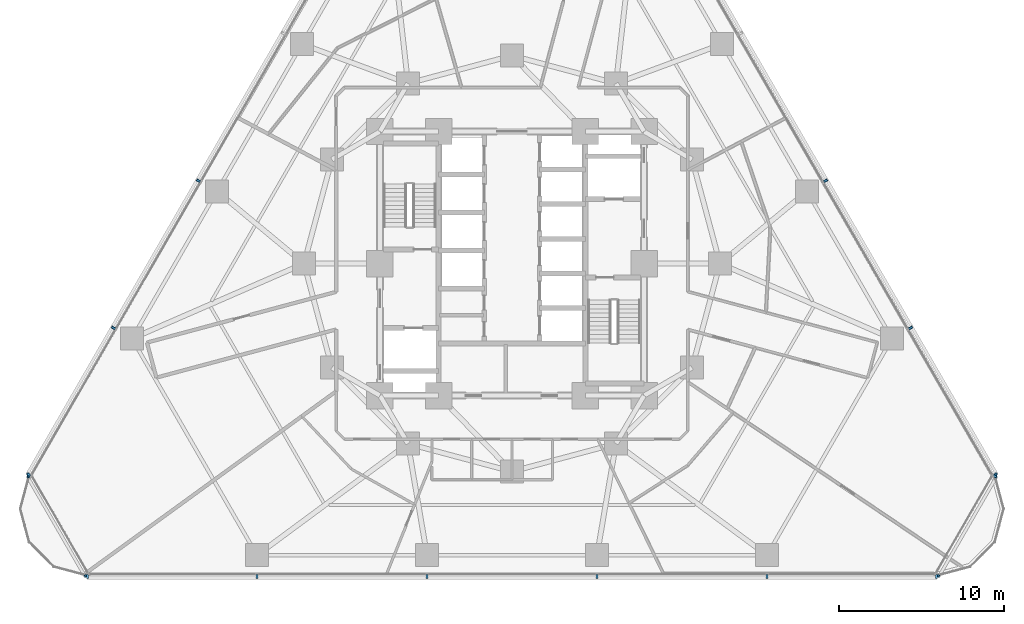
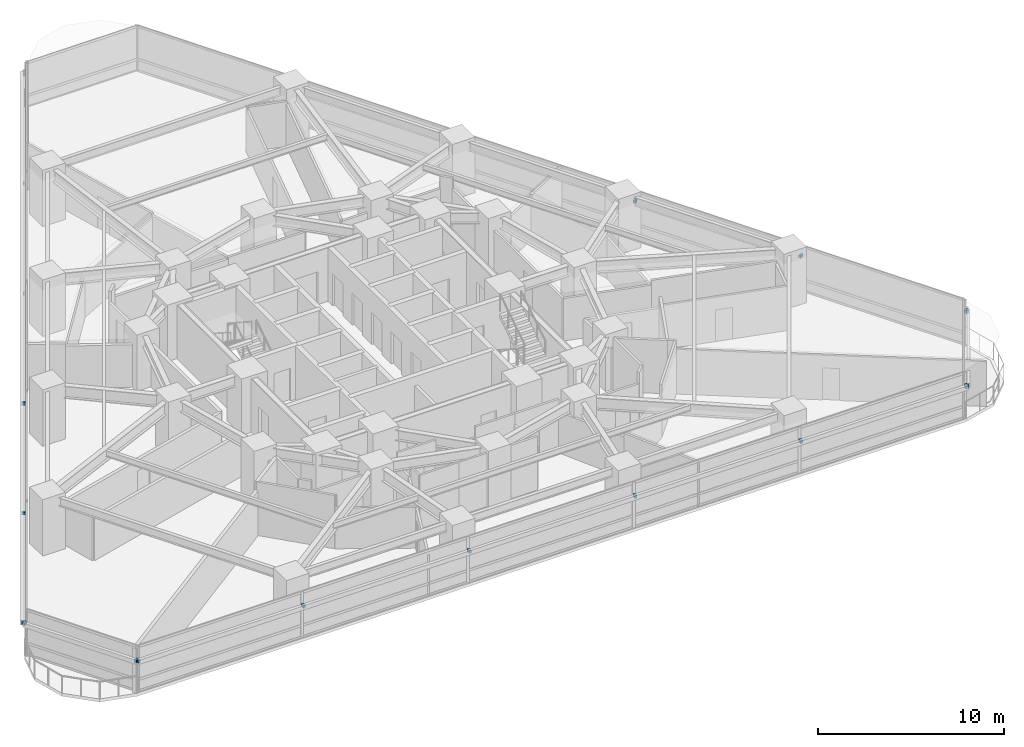
# One storey, part 11 of 16: 16 discrete accessories.
"""IFC4 building model written with IfcOpenShell, lengths in metres."""

from ifc_helpers import new_model, si_unit, direction, frame, origin, origin_2d, place, context, subcontext, project, spatial, rectangle, extrude, material, type_object, element, save


model = new_model("IFC4")

# Units and contexts
model_context = context("Model", 3, precision=1e-05, world=origin(), true_north=direction((0.0, 1.0)))
body_context = subcontext(model_context, "Body", "Model", "MODEL_VIEW")
ifc_project = project(units=[si_unit("LENGTHUNIT", "METRE"), si_unit("AREAUNIT", "SQUARE_METRE"), si_unit("VOLUMEUNIT", "CUBIC_METRE"), si_unit("PLANEANGLEUNIT", "RADIAN"), si_unit("MASSUNIT", "GRAM", prefix="KILO")], contexts=[model_context])

# Site, building, storey
site_placement = place(None, origin())
site = spatial("IfcSite", under=ifc_project, at=site_placement, CompositionType="ELEMENT")
building_placement = place(site_placement, origin())
building = spatial("IfcBuilding", under=site, at=building_placement, Name="Terralouvre Media Tower", CompositionType="ELEMENT")
storey_placement = place(building_placement, frame((0.0, 0.0, 37.10009765625)))
storey = spatial("IfcBuildingStorey", under=building, at=storey_placement, Name="L08", CompositionType="ELEMENT", Elevation=37.10009765625)

# Discrete accessories
ifc_material = material(Name="Anodised extruded aluminium 6063-T6", Category="aluminium")
discrete_accessory_type = type_object("IfcDiscreteAccessoryType", Name="Mullion Stand-Off Baguette Fixing Bracket BK-01", PredefinedType="BRACKET", material=ifc_material)
for number, where, z_axis, x_axis, name in (
    (1, (-25.71240234375, -18.956787109375, 2.07373046875), (0.0, 0.0, 1.0), (1.0, 0.0, 0.0), "CW-L08-F0 Baguette Outrigger Bracket 1.01"),
    (2, (-15.449951171875, -18.956787109375, 2.07373046875), (0.0, 0.0, 1.0), (1.0, 0.0, 0.0), "CW-L08-F0 Baguette Outrigger Bracket 1.02"),
    (3, (-5.14990234375, -18.956787109375, 2.07373046875), (0.0, 0.0, 1.0), (1.0, 0.0, 0.0), "CW-L08-F0 Baguette Outrigger Bracket 1.03"),
    (4, (5.14990234375, -18.956787109375, 2.07373046875), (0.0, 0.0, 1.0), (1.0, 0.0, 0.0), "CW-L08-F0 Baguette Outrigger Bracket 1.04"),
    (5, (15.449951171875, -18.956787109375, 2.07373046875), (0.0, 0.0, 1.0), (1.0, 0.0, 0.0), "CW-L08-F0 Baguette Outrigger Bracket 1.05"),
    (6, (25.71240234375, -18.956787109375, 2.07373046875), (0.0, 0.0, 1.0), (1.0, 0.0, 0.0), "CW-L08-F0 Baguette Outrigger Bracket 1.06"),
    (7, (29.273193359375, -12.789306640625, 2.07373046875), (0.0, 0.0, 1.0), (-0.499999985671, 0.866025412057, 0.0), "CW-L08-F1 Baguette Outrigger Bracket 1.01"),
    (8, (24.14208984375, -3.901611328125, 2.07373046875), (0.0, 0.0, 1.0), (-0.499999985671, 0.866025412057, 0.0), "CW-L08-F1 Baguette Outrigger Bracket 1.02"),
    (9, (18.991943359375, 5.018310546875, 2.07373046875), (0.0, 0.0, 1.0), (-0.499999985671, 0.866025412057, 0.0), "CW-L08-F1 Baguette Outrigger Bracket 1.03"),
    (10, (-18.991943359375, 5.018310546875, 2.07373046875), (0.0, 0.0, 1.0), (-0.499999985671, -0.866025412057, 0.0), "CW-L08-F2 Baguette Outrigger Bracket 1.04"),
    (11, (-24.14208984375, -3.901611328125, 2.07373046875), (0.0, 0.0, 1.0), (-0.499999985671, -0.866025412057, 0.0), "CW-L08-F2 Baguette Outrigger Bracket 1.05"),
    (12, (-29.273193359375, -12.789306640625, 2.07373046875), (0.0, 0.0, 1.0), (-0.499999985671, -0.866025412057, 0.0), "CW-L08-F2 Baguette Outrigger Bracket 1.06"),
    (13, (-29.255859375, -12.88427734375, 2.07373046875), (0.0, 0.0, 1.0), (0.499999691503, -0.866025581895, 0.0), "CW-L08-C0 Baguette Outrigger Bracket 1.01"),
    (14, (-25.7861328125, -18.894287109375, 2.07373046875), (0.0, 0.0, 1.0), (0.499999691503, -0.866025581895, 0.0), "CW-L08-C0 Baguette Outrigger Bracket 1.02"),
    (15, (25.7861328125, -18.894287109375, 2.07373046875), (0.0, 0.0, 1.0), (0.499999691503, 0.866025581895, 0.0), "CW-L08-C1 Baguette Outrigger Bracket 1.01"),
    (16, (29.255859375, -12.88427734375, 2.07373046875), (0.0, 0.0, 1.0), (0.499999691503, 0.866025581895, 0.0), "CW-L08-C1 Baguette Outrigger Bracket 1.02"),
):
    element("IfcDiscreteAccessory", number, at=place(storey_placement, frame(where, z_axis=z_axis, x_axis=x_axis)), inside=storey, type_object=discrete_accessory_type, Name=name, PredefinedType="BRACKET", context=body_context, shape_type="SweptSolid", body=[
        extrude(rectangle(XDim=0.139892578125, YDim=0.239990234375, at=origin_2d()), origin(), (0.0, 0.0, 1.0), 0.179931640625),
    ])

save(model, "model.ifc")
